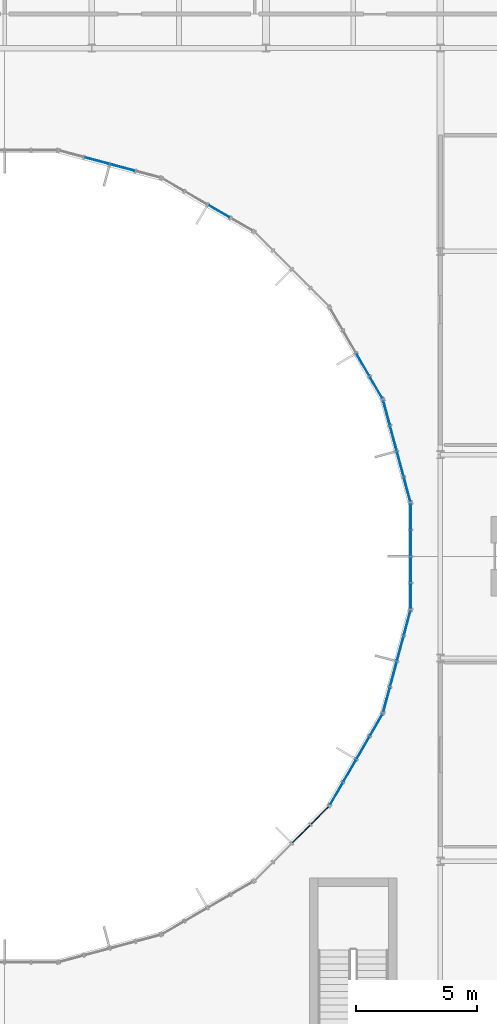
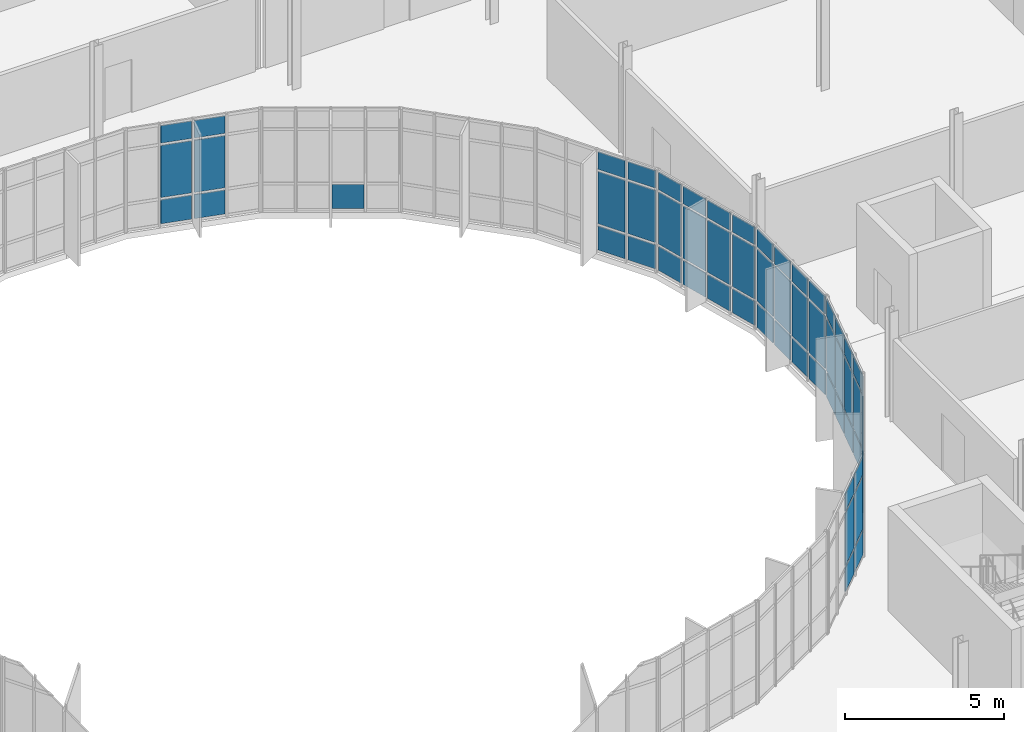
# One storey, part 82 of 119: 67 plates, 8 elements without a shape of their own.
"""IFC4 building model written with IfcOpenShell, lengths in metres."""

from ifc_helpers import new_model, si_unit, direction, frame, origin, origin_2d, place, context, subcontext, project, spatial, rectangle, extrude, material, layer, layer_set, type_object, element, aggregate, save


model = new_model("IFC4")

# Units and contexts
model_context = context("Model", 3, precision=1e-05, world=origin(), true_north=direction((0.0, 1.0)))
body_context = subcontext(model_context, "Body", "Model", "MODEL_VIEW")
ifc_project = project(units=[si_unit("LENGTHUNIT", "METRE"), si_unit("AREAUNIT", "SQUARE_METRE"), si_unit("VOLUMEUNIT", "CUBIC_METRE"), si_unit("PLANEANGLEUNIT", "RADIAN"), si_unit("MASSUNIT", "GRAM", prefix="KILO")], contexts=[model_context])

# Site, building, storey
site_placement = place(None, origin())
site = spatial("IfcSite", under=ifc_project, at=site_placement, CompositionType="ELEMENT")
building_placement = place(site_placement, origin())
building = spatial("IfcBuilding", under=site, at=building_placement, Name="Qelthora Terrace Specialist Clinic", CompositionType="ELEMENT")
storey_placement = place(building_placement, frame((0.0, 0.0, 4.800048828125)))
storey = spatial("IfcBuildingStorey", under=building, at=storey_placement, Name="L01", CompositionType="ELEMENT", Elevation=4.800048828125)

# Curtain wall, plates
ifc_material_1 = material(Name="Aluminium anodized bronze", Category="aluminium")
curtain_wall_type = type_object("IfcCurtainWallType", Name="CW-CRTE-UPP", PredefinedType="NOTDEFINED", material=ifc_material_1)
curtain_wall_1_placement = place(storey_placement, origin())
curtain_wall_1 = element("IfcCurtainWall", 1, at=curtain_wall_1_placement, inside=storey, type_object=curtain_wall_type, Name="Curtain wall CW-CE-L01-01", PredefinedType="NOTDEFINED")
ifc_material_2 = material(Name="Low-E triple-silver insulating glass", Category="glass")
ifc_layer = layer(ifc_material_2, 0.035888671875)
ifc_layer_set = layer_set([ifc_layer], Name="Low-E triple-silver insulating glass")
plate_type = type_object("IfcPlateType", Name="CWP-IGU-36", PredefinedType="CURTAIN_PANEL", material=ifc_layer_set)
plate_1_placement = place(storey_placement, frame((142.63037109375, 65.75341796875, 0.0849609375), z_axis=(0.0, 0.0, 1.0), x_axis=(-0.258819045103, 0.965925826289, 0.0)))
plate_1 = element("IfcPlate", 2, at=plate_1_placement, type_object=plate_type, Name="CW-CE-L01-01 glazed panel 1", PredefinedType="CURTAIN_PANEL", context=body_context, shape_type="SweptSolid", body=[
    extrude(rectangle(XDim=0.996337890625, YDim=0.035888671875, at=origin_2d()), origin(), (0.0, 0.0, 1.0), 0.919921875),
])
plate_2_placement = place(storey_placement, frame((142.63037109375, 65.75341796875, 1.094970703125), z_axis=(0.0, 0.0, 1.0), x_axis=(-0.258819045103, 0.965925826289, 0.0)))
plate_2 = element("IfcPlate", 3, at=plate_2_placement, type_object=plate_type, Name="CW-CE-L01-01 glazed panel 2", PredefinedType="CURTAIN_PANEL", context=body_context, shape_type="SweptSolid", body=[
    extrude(rectangle(XDim=0.996337890625, YDim=0.035888671875, at=origin_2d()), origin(), (0.0, 0.0, 1.0), 2.0048828125),
])
plate_3_placement = place(storey_placement, frame((142.63037109375, 65.75341796875, 3.18994140625), z_axis=(0.0, 0.0, 1.0), x_axis=(-0.258819045103, 0.965925826289, 0.0)))
plate_3 = element("IfcPlate", 4, at=plate_3_placement, type_object=plate_type, Name="CW-CE-L01-01 glazed panel 3", PredefinedType="CURTAIN_PANEL", context=body_context, shape_type="SweptSolid", body=[
    extrude(rectangle(XDim=0.996337890625, YDim=0.035888671875, at=origin_2d()), origin(), (0.0, 0.0, 1.0), 0.669921875),
])
plate_4_placement = place(storey_placement, frame((142.346435546875, 66.8125, 0.0849609375), z_axis=(0.0, 0.0, 1.0), x_axis=(-0.258819045103, 0.965925826289, 0.0)))
plate_4 = element("IfcPlate", 5, at=plate_4_placement, type_object=plate_type, Name="CW-CE-L01-01 glazed panel 4", PredefinedType="CURTAIN_PANEL", context=body_context, shape_type="SweptSolid", body=[
    extrude(rectangle(XDim=0.996337890625, YDim=0.035888671875, at=origin_2d()), origin(), (0.0, 0.0, 1.0), 0.919921875),
])
plate_5_placement = place(storey_placement, frame((142.346435546875, 66.8125, 1.094970703125), z_axis=(0.0, 0.0, 1.0), x_axis=(-0.258819045103, 0.965925826289, 0.0)))
plate_5 = element("IfcPlate", 6, at=plate_5_placement, type_object=plate_type, Name="CW-CE-L01-01 glazed panel 5", PredefinedType="CURTAIN_PANEL", context=body_context, shape_type="SweptSolid", body=[
    extrude(rectangle(XDim=0.996337890625, YDim=0.035888671875, at=origin_2d()), origin(), (0.0, 0.0, 1.0), 2.0048828125),
])
plate_6_placement = place(storey_placement, frame((142.346435546875, 66.8125, 3.18994140625), z_axis=(0.0, 0.0, 1.0), x_axis=(-0.258819045103, 0.965925826289, 0.0)))
plate_6 = element("IfcPlate", 7, at=plate_6_placement, type_object=plate_type, Name="CW-CE-L01-01 glazed panel 6", PredefinedType="CURTAIN_PANEL", context=body_context, shape_type="SweptSolid", body=[
    extrude(rectangle(XDim=0.996337890625, YDim=0.035888671875, at=origin_2d()), origin(), (0.0, 0.0, 1.0), 0.669921875),
])
plate_7_placement = place(storey_placement, frame((142.062744140625, 67.87158203125, 0.0849609375), z_axis=(0.0, 0.0, 1.0), x_axis=(-0.258819045103, 0.965925826289, 0.0)))
plate_7 = element("IfcPlate", 8, at=plate_7_placement, type_object=plate_type, Name="CW-CE-L01-01 glazed panel 7", PredefinedType="CURTAIN_PANEL", context=body_context, shape_type="SweptSolid", body=[
    extrude(rectangle(XDim=0.996337890625, YDim=0.035888671875, at=origin_2d()), origin(), (0.0, 0.0, 1.0), 0.919921875),
])
plate_8_placement = place(storey_placement, frame((142.062744140625, 67.87158203125, 1.094970703125), z_axis=(0.0, 0.0, 1.0), x_axis=(-0.258819045103, 0.965925826289, 0.0)))
plate_8 = element("IfcPlate", 9, at=plate_8_placement, type_object=plate_type, Name="CW-CE-L01-01 glazed panel 8", PredefinedType="CURTAIN_PANEL", context=body_context, shape_type="SweptSolid", body=[
    extrude(rectangle(XDim=0.996337890625, YDim=0.035888671875, at=origin_2d()), origin(), (0.0, 0.0, 1.0), 2.0048828125),
])
plate_9_placement = place(storey_placement, frame((142.062744140625, 67.87158203125, 3.18994140625), z_axis=(0.0, 0.0, 1.0), x_axis=(-0.258819045103, 0.965925826289, 0.0)))
plate_9 = element("IfcPlate", 10, at=plate_9_placement, type_object=plate_type, Name="CW-CE-L01-01 glazed panel 9", PredefinedType="CURTAIN_PANEL", context=body_context, shape_type="SweptSolid", body=[
    extrude(rectangle(XDim=0.996337890625, YDim=0.035888671875, at=origin_2d()), origin(), (0.0, 0.0, 1.0), 0.669921875),
])
plate_10_placement = place(storey_placement, frame((141.779052734375, 68.9306640625, 0.0849609375), z_axis=(0.0, 0.0, 1.0), x_axis=(-0.258819045103, 0.965925826289, 0.0)))
plate_10 = element("IfcPlate", 11, at=plate_10_placement, type_object=plate_type, Name="CW-CE-L01-01 glazed panel 10", PredefinedType="CURTAIN_PANEL", context=body_context, shape_type="SweptSolid", body=[
    extrude(rectangle(XDim=0.996337890625, YDim=0.035888671875, at=origin_2d()), origin(), (0.0, 0.0, 1.0), 0.919921875),
])
plate_11_placement = place(storey_placement, frame((141.779052734375, 68.9306640625, 1.094970703125), z_axis=(0.0, 0.0, 1.0), x_axis=(-0.258819045103, 0.965925826289, 0.0)))
plate_11 = element("IfcPlate", 12, at=plate_11_placement, type_object=plate_type, Name="CW-CE-L01-01 glazed panel 11", PredefinedType="CURTAIN_PANEL", context=body_context, shape_type="SweptSolid", body=[
    extrude(rectangle(XDim=0.996337890625, YDim=0.035888671875, at=origin_2d()), origin(), (0.0, 0.0, 1.0), 2.0048828125),
])
plate_12_placement = place(storey_placement, frame((141.779052734375, 68.9306640625, 3.18994140625), z_axis=(0.0, 0.0, 1.0), x_axis=(-0.258819045103, 0.965925826289, 0.0)))
plate_12 = element("IfcPlate", 13, at=plate_12_placement, type_object=plate_type, Name="CW-CE-L01-01 glazed panel 12", PredefinedType="CURTAIN_PANEL", context=body_context, shape_type="SweptSolid", body=[
    extrude(rectangle(XDim=0.996337890625, YDim=0.035888671875, at=origin_2d()), origin(), (0.0, 0.0, 1.0), 0.669921875),
])
aggregate(curtain_wall_1, [plate_1, plate_2, plate_3, plate_4, plate_5, plate_6, plate_7, plate_8, plate_9, plate_10, plate_11, plate_12])

curtain_wall_2_placement = place(storey_placement, origin())
curtain_wall_2 = element("IfcCurtainWall", 14, at=curtain_wall_2_placement, inside=storey, type_object=curtain_wall_type, Name="Curtain wall CW-CE-L01-02", PredefinedType="NOTDEFINED")
plate_13_placement = place(storey_placement, frame((141.35107421875, 69.9638671875, 0.0849609375), z_axis=(0.0, 0.0, 1.0), x_axis=(-0.5, 0.866025403784, 0.0)))
plate_13 = element("IfcPlate", 15, at=plate_13_placement, type_object=plate_type, Name="CW-CE-L01-02 glazed panel 1", PredefinedType="CURTAIN_PANEL", context=body_context, shape_type="SweptSolid", body=[
    extrude(rectangle(XDim=0.996337890625, YDim=0.035888671875, at=origin_2d()), origin(), (0.0, 0.0, 1.0), 0.919921875),
])
plate_14_placement = place(storey_placement, frame((141.35107421875, 69.9638671875, 1.094970703125), z_axis=(0.0, 0.0, 1.0), x_axis=(-0.5, 0.866025403784, 0.0)))
plate_14 = element("IfcPlate", 16, at=plate_14_placement, type_object=plate_type, Name="CW-CE-L01-02 glazed panel 2", PredefinedType="CURTAIN_PANEL", context=body_context, shape_type="SweptSolid", body=[
    extrude(rectangle(XDim=0.996337890625, YDim=0.035888671875, at=origin_2d()), origin(), (0.0, 0.0, 1.0), 2.0048828125),
])
plate_15_placement = place(storey_placement, frame((141.35107421875, 69.9638671875, 3.18994140625), z_axis=(0.0, 0.0, 1.0), x_axis=(-0.5, 0.866025403784, 0.0)))
plate_15 = element("IfcPlate", 17, at=plate_15_placement, type_object=plate_type, Name="CW-CE-L01-02 glazed panel 3", PredefinedType="CURTAIN_PANEL", context=body_context, shape_type="SweptSolid", body=[
    extrude(rectangle(XDim=0.996337890625, YDim=0.035888671875, at=origin_2d()), origin(), (0.0, 0.0, 1.0), 0.669921875),
])
plate_16_placement = place(storey_placement, frame((140.802734375, 70.913330078125, 0.0849609375), z_axis=(0.0, 0.0, 1.0), x_axis=(-0.5, 0.866025403784, 0.0)))
plate_16 = element("IfcPlate", 18, at=plate_16_placement, type_object=plate_type, Name="CW-CE-L01-02 glazed panel 4", PredefinedType="CURTAIN_PANEL", context=body_context, shape_type="SweptSolid", body=[
    extrude(rectangle(XDim=0.996337890625, YDim=0.035888671875, at=origin_2d()), origin(), (0.0, 0.0, 1.0), 0.919921875),
])
plate_17_placement = place(storey_placement, frame((140.802734375, 70.913330078125, 1.094970703125), z_axis=(0.0, 0.0, 1.0), x_axis=(-0.5, 0.866025403784, 0.0)))
plate_17 = element("IfcPlate", 19, at=plate_17_placement, type_object=plate_type, Name="CW-CE-L01-02 glazed panel 5", PredefinedType="CURTAIN_PANEL", context=body_context, shape_type="SweptSolid", body=[
    extrude(rectangle(XDim=0.996337890625, YDim=0.035888671875, at=origin_2d()), origin(), (0.0, 0.0, 1.0), 2.0048828125),
])
plate_18_placement = place(storey_placement, frame((140.802734375, 70.913330078125, 3.18994140625), z_axis=(0.0, 0.0, 1.0), x_axis=(-0.5, 0.866025403784, 0.0)))
plate_18 = element("IfcPlate", 20, at=plate_18_placement, type_object=plate_type, Name="CW-CE-L01-02 glazed panel 6", PredefinedType="CURTAIN_PANEL", context=body_context, shape_type="SweptSolid", body=[
    extrude(rectangle(XDim=0.996337890625, YDim=0.035888671875, at=origin_2d()), origin(), (0.0, 0.0, 1.0), 0.669921875),
])
aggregate(curtain_wall_2, [plate_13, plate_14, plate_15, plate_16, plate_17, plate_18])

# Curtain wall, plate
curtain_wall_3_placement = place(storey_placement, origin())
curtain_wall_3 = element("IfcCurtainWall", 21, at=curtain_wall_3_placement, inside=storey, type_object=curtain_wall_type, Name="Curtain wall CW-CE-L01-04", PredefinedType="NOTDEFINED")
plate_19_placement = place(storey_placement, frame((134.86279296875, 77.254638671875, 0.0849609375), z_axis=(0.0, 0.0, 1.0), x_axis=(-0.866025403784, 0.5, 0.0)))
plate_19 = element("IfcPlate", 22, at=plate_19_placement, type_object=plate_type, Name="CW-CE-L01-04 glazed panel 4", PredefinedType="CURTAIN_PANEL", context=body_context, shape_type="SweptSolid", body=[
    extrude(rectangle(XDim=0.996337890625, YDim=0.035888671875, at=origin_2d()), origin(), (0.0, 0.0, 1.0), 0.919921875),
])
aggregate(curtain_wall_3, [plate_19])

# Curtain wall, plates
curtain_wall_4_placement = place(storey_placement, origin())
curtain_wall_4 = element("IfcCurtainWall", 23, at=curtain_wall_4_placement, inside=storey, type_object=curtain_wall_type, Name="Curtain wall CW-CE-L01-05", PredefinedType="NOTDEFINED")
plate_20_placement = place(storey_placement, frame((130.87158203125, 79.062744140625, 0.0849609375), z_axis=(0.0, 0.0, 1.0), x_axis=(-0.965925826289, 0.258819045103, 0.0)))
plate_20 = element("IfcPlate", 24, at=plate_20_placement, type_object=plate_type, Name="CW-CE-L01-05 glazed panel 4", PredefinedType="CURTAIN_PANEL", context=body_context, shape_type="SweptSolid", body=[
    extrude(rectangle(XDim=0.996337890625, YDim=0.035888671875, at=origin_2d()), origin(), (0.0, 0.0, 1.0), 0.919921875),
])
plate_21_placement = place(storey_placement, frame((130.87158203125, 79.062744140625, 1.094970703125), z_axis=(0.0, 0.0, 1.0), x_axis=(-0.965925826289, 0.258819045103, 0.0)))
plate_21 = element("IfcPlate", 25, at=plate_21_placement, type_object=plate_type, Name="CW-CE-L01-05 glazed panel 5", PredefinedType="CURTAIN_PANEL", context=body_context, shape_type="SweptSolid", body=[
    extrude(rectangle(XDim=0.996337890625, YDim=0.035888671875, at=origin_2d()), origin(), (0.0, 0.0, 1.0), 2.0048828125),
])
plate_22_placement = place(storey_placement, frame((130.87158203125, 79.062744140625, 3.18994140625), z_axis=(0.0, 0.0, 1.0), x_axis=(-0.965925826289, 0.258819045103, 0.0)))
plate_22 = element("IfcPlate", 26, at=plate_22_placement, type_object=plate_type, Name="CW-CE-L01-05 glazed panel 6", PredefinedType="CURTAIN_PANEL", context=body_context, shape_type="SweptSolid", body=[
    extrude(rectangle(XDim=0.996337890625, YDim=0.035888671875, at=origin_2d()), origin(), (0.0, 0.0, 1.0), 0.669921875),
])
plate_23_placement = place(storey_placement, frame((129.8125, 79.346435546875, 0.0849609375), z_axis=(0.0, 0.0, 1.0), x_axis=(-0.965925826289, 0.258819045103, 0.0)))
plate_23 = element("IfcPlate", 27, at=plate_23_placement, type_object=plate_type, Name="CW-CE-L01-05 glazed panel 7", PredefinedType="CURTAIN_PANEL", context=body_context, shape_type="SweptSolid", body=[
    extrude(rectangle(XDim=0.996337890625, YDim=0.035888671875, at=origin_2d()), origin(), (0.0, 0.0, 1.0), 0.919921875),
])
plate_24_placement = place(storey_placement, frame((129.8125, 79.346435546875, 1.094970703125), z_axis=(0.0, 0.0, 1.0), x_axis=(-0.965925826289, 0.258819045103, 0.0)))
plate_24 = element("IfcPlate", 28, at=plate_24_placement, type_object=plate_type, Name="CW-CE-L01-05 glazed panel 8", PredefinedType="CURTAIN_PANEL", context=body_context, shape_type="SweptSolid", body=[
    extrude(rectangle(XDim=0.996337890625, YDim=0.035888671875, at=origin_2d()), origin(), (0.0, 0.0, 1.0), 2.0048828125),
])
plate_25_placement = place(storey_placement, frame((129.8125, 79.346435546875, 3.18994140625), z_axis=(0.0, 0.0, 1.0), x_axis=(-0.965925826289, 0.258819045103, 0.0)))
plate_25 = element("IfcPlate", 29, at=plate_25_placement, type_object=plate_type, Name="CW-CE-L01-05 glazed panel 9", PredefinedType="CURTAIN_PANEL", context=body_context, shape_type="SweptSolid", body=[
    extrude(rectangle(XDim=0.996337890625, YDim=0.035888671875, at=origin_2d()), origin(), (0.0, 0.0, 1.0), 0.669921875),
])
aggregate(curtain_wall_4, [plate_20, plate_21, plate_22, plate_23, plate_24, plate_25])

curtain_wall_5_placement = place(storey_placement, origin())
curtain_wall_5 = element("IfcCurtainWall", 30, at=curtain_wall_5_placement, inside=storey, type_object=curtain_wall_type, Name="Curtain wall CW-CE-L01-21", PredefinedType="NOTDEFINED")
plate_26_placement = place(storey_placement, frame((138.250244140625, 51.525146484375, 0.0849609375), z_axis=(0.0, 0.0, 1.0), x_axis=(0.707106781187, 0.707106781187, 0.0)))
plate_26 = element("IfcPlate", 31, at=plate_26_placement, type_object=plate_type, Name="CW-CE-L01-21 glazed panel 7", PredefinedType="CURTAIN_PANEL", context=body_context, shape_type="SweptSolid", body=[
    extrude(rectangle(XDim=0.996337890625, YDim=0.035888671875, at=origin_2d()), origin(), (0.0, 0.0, 1.0), 0.919921875),
])
plate_27_placement = place(storey_placement, frame((138.250244140625, 51.525146484375, 1.094970703125), z_axis=(0.0, 0.0, 1.0), x_axis=(0.707106781187, 0.707106781187, 0.0)))
plate_27 = element("IfcPlate", 32, at=plate_27_placement, type_object=plate_type, Name="CW-CE-L01-21 glazed panel 8", PredefinedType="CURTAIN_PANEL", context=body_context, shape_type="SweptSolid", body=[
    extrude(rectangle(XDim=0.996337890625, YDim=0.035888671875, at=origin_2d()), origin(), (0.0, 0.0, 1.0), 2.0048828125),
])
plate_28_placement = place(storey_placement, frame((138.250244140625, 51.525146484375, 3.18994140625), z_axis=(0.0, 0.0, 1.0), x_axis=(0.707106781187, 0.707106781187, 0.0)))
plate_28 = element("IfcPlate", 33, at=plate_28_placement, type_object=plate_type, Name="CW-CE-L01-21 glazed panel 9", PredefinedType="CURTAIN_PANEL", context=body_context, shape_type="SweptSolid", body=[
    extrude(rectangle(XDim=0.996337890625, YDim=0.035888671875, at=origin_2d()), origin(), (0.0, 0.0, 1.0), 0.669921875),
])
plate_29_placement = place(storey_placement, frame((139.025634765625, 52.30029296875, 0.0849609375), z_axis=(0.0, 0.0, 1.0), x_axis=(0.707106781187, 0.707106781187, 0.0)))
plate_29 = element("IfcPlate", 34, at=plate_29_placement, type_object=plate_type, Name="CW-CE-L01-21 glazed panel 10", PredefinedType="CURTAIN_PANEL", context=body_context, shape_type="SweptSolid", body=[
    extrude(rectangle(XDim=0.996337890625, YDim=0.035888671875, at=origin_2d()), origin(), (0.0, 0.0, 1.0), 0.919921875),
])
plate_30_placement = place(storey_placement, frame((139.025634765625, 52.30029296875, 1.094970703125), z_axis=(0.0, 0.0, 1.0), x_axis=(0.707106781187, 0.707106781187, 0.0)))
plate_30 = element("IfcPlate", 35, at=plate_30_placement, type_object=plate_type, Name="CW-CE-L01-21 glazed panel 11", PredefinedType="CURTAIN_PANEL", context=body_context, shape_type="SweptSolid", body=[
    extrude(rectangle(XDim=0.996337890625, YDim=0.035888671875, at=origin_2d()), origin(), (0.0, 0.0, 1.0), 2.0048828125),
])
plate_31_placement = place(storey_placement, frame((139.025634765625, 52.30029296875, 3.18994140625), z_axis=(0.0, 0.0, 1.0), x_axis=(0.707106781187, 0.707106781187, 0.0)))
plate_31 = element("IfcPlate", 36, at=plate_31_placement, type_object=plate_type, Name="CW-CE-L01-21 glazed panel 12", PredefinedType="CURTAIN_PANEL", context=body_context, shape_type="SweptSolid", body=[
    extrude(rectangle(XDim=0.996337890625, YDim=0.035888671875, at=origin_2d()), origin(), (0.0, 0.0, 1.0), 0.669921875),
])
aggregate(curtain_wall_5, [plate_26, plate_27, plate_28, plate_29, plate_30, plate_31])

curtain_wall_6_placement = place(storey_placement, origin())
curtain_wall_6 = element("IfcCurtainWall", 37, at=curtain_wall_6_placement, inside=storey, type_object=curtain_wall_type, Name="Curtain wall CW-CE-L01-22", PredefinedType="NOTDEFINED")
plate_32_placement = place(storey_placement, frame((139.706298828125, 53.1875, 0.0849609375), z_axis=(0.0, 0.0, 1.0), x_axis=(0.5, 0.866025403784, 0.0)))
plate_32 = element("IfcPlate", 38, at=plate_32_placement, type_object=plate_type, Name="CW-CE-L01-22 glazed panel 1", PredefinedType="CURTAIN_PANEL", context=body_context, shape_type="SweptSolid", body=[
    extrude(rectangle(XDim=0.996337890625, YDim=0.035888671875, at=origin_2d()), origin(), (0.0, 0.0, 1.0), 0.919921875),
])
plate_33_placement = place(storey_placement, frame((139.706298828125, 53.1875, 1.094970703125), z_axis=(0.0, 0.0, 1.0), x_axis=(0.5, 0.866025403784, 0.0)))
plate_33 = element("IfcPlate", 39, at=plate_33_placement, type_object=plate_type, Name="CW-CE-L01-22 glazed panel 2", PredefinedType="CURTAIN_PANEL", context=body_context, shape_type="SweptSolid", body=[
    extrude(rectangle(XDim=0.996337890625, YDim=0.035888671875, at=origin_2d()), origin(), (0.0, 0.0, 1.0), 2.0048828125),
])
plate_34_placement = place(storey_placement, frame((139.706298828125, 53.1875, 3.18994140625), z_axis=(0.0, 0.0, 1.0), x_axis=(0.5, 0.866025403784, 0.0)))
plate_34 = element("IfcPlate", 40, at=plate_34_placement, type_object=plate_type, Name="CW-CE-L01-22 glazed panel 3", PredefinedType="CURTAIN_PANEL", context=body_context, shape_type="SweptSolid", body=[
    extrude(rectangle(XDim=0.996337890625, YDim=0.035888671875, at=origin_2d()), origin(), (0.0, 0.0, 1.0), 0.669921875),
])
plate_35_placement = place(storey_placement, frame((140.254638671875, 54.13720703125, 0.0849609375), z_axis=(0.0, 0.0, 1.0), x_axis=(0.5, 0.866025403784, 0.0)))
plate_35 = element("IfcPlate", 41, at=plate_35_placement, type_object=plate_type, Name="CW-CE-L01-22 glazed panel 4", PredefinedType="CURTAIN_PANEL", context=body_context, shape_type="SweptSolid", body=[
    extrude(rectangle(XDim=0.996337890625, YDim=0.035888671875, at=origin_2d()), origin(), (0.0, 0.0, 1.0), 0.919921875),
])
plate_36_placement = place(storey_placement, frame((140.254638671875, 54.13720703125, 1.094970703125), z_axis=(0.0, 0.0, 1.0), x_axis=(0.5, 0.866025403784, 0.0)))
plate_36 = element("IfcPlate", 42, at=plate_36_placement, type_object=plate_type, Name="CW-CE-L01-22 glazed panel 5", PredefinedType="CURTAIN_PANEL", context=body_context, shape_type="SweptSolid", body=[
    extrude(rectangle(XDim=0.996337890625, YDim=0.035888671875, at=origin_2d()), origin(), (0.0, 0.0, 1.0), 2.0048828125),
])
plate_37_placement = place(storey_placement, frame((140.254638671875, 54.13720703125, 3.18994140625), z_axis=(0.0, 0.0, 1.0), x_axis=(0.5, 0.866025403784, 0.0)))
plate_37 = element("IfcPlate", 43, at=plate_37_placement, type_object=plate_type, Name="CW-CE-L01-22 glazed panel 6", PredefinedType="CURTAIN_PANEL", context=body_context, shape_type="SweptSolid", body=[
    extrude(rectangle(XDim=0.996337890625, YDim=0.035888671875, at=origin_2d()), origin(), (0.0, 0.0, 1.0), 0.669921875),
])
plate_38_placement = place(storey_placement, frame((140.802734375, 55.086669921875, 0.0849609375), z_axis=(0.0, 0.0, 1.0), x_axis=(0.5, 0.866025403784, 0.0)))
plate_38 = element("IfcPlate", 44, at=plate_38_placement, type_object=plate_type, Name="CW-CE-L01-22 glazed panel 7", PredefinedType="CURTAIN_PANEL", context=body_context, shape_type="SweptSolid", body=[
    extrude(rectangle(XDim=0.996337890625, YDim=0.035888671875, at=origin_2d()), origin(), (0.0, 0.0, 1.0), 0.919921875),
])
plate_39_placement = place(storey_placement, frame((140.802734375, 55.086669921875, 1.094970703125), z_axis=(0.0, 0.0, 1.0), x_axis=(0.5, 0.866025403784, 0.0)))
plate_39 = element("IfcPlate", 45, at=plate_39_placement, type_object=plate_type, Name="CW-CE-L01-22 glazed panel 8", PredefinedType="CURTAIN_PANEL", context=body_context, shape_type="SweptSolid", body=[
    extrude(rectangle(XDim=0.996337890625, YDim=0.035888671875, at=origin_2d()), origin(), (0.0, 0.0, 1.0), 2.0048828125),
])
plate_40_placement = place(storey_placement, frame((140.802734375, 55.086669921875, 3.18994140625), z_axis=(0.0, 0.0, 1.0), x_axis=(0.5, 0.866025403784, 0.0)))
plate_40 = element("IfcPlate", 46, at=plate_40_placement, type_object=plate_type, Name="CW-CE-L01-22 glazed panel 9", PredefinedType="CURTAIN_PANEL", context=body_context, shape_type="SweptSolid", body=[
    extrude(rectangle(XDim=0.996337890625, YDim=0.035888671875, at=origin_2d()), origin(), (0.0, 0.0, 1.0), 0.669921875),
])
plate_41_placement = place(storey_placement, frame((141.35107421875, 56.0361328125, 0.0849609375), z_axis=(0.0, 0.0, 1.0), x_axis=(0.5, 0.866025403784, 0.0)))
plate_41 = element("IfcPlate", 47, at=plate_41_placement, type_object=plate_type, Name="CW-CE-L01-22 glazed panel 10", PredefinedType="CURTAIN_PANEL", context=body_context, shape_type="SweptSolid", body=[
    extrude(rectangle(XDim=0.996337890625, YDim=0.035888671875, at=origin_2d()), origin(), (0.0, 0.0, 1.0), 0.919921875),
])
plate_42_placement = place(storey_placement, frame((141.35107421875, 56.0361328125, 1.094970703125), z_axis=(0.0, 0.0, 1.0), x_axis=(0.5, 0.866025403784, 0.0)))
plate_42 = element("IfcPlate", 48, at=plate_42_placement, type_object=plate_type, Name="CW-CE-L01-22 glazed panel 11", PredefinedType="CURTAIN_PANEL", context=body_context, shape_type="SweptSolid", body=[
    extrude(rectangle(XDim=0.996337890625, YDim=0.035888671875, at=origin_2d()), origin(), (0.0, 0.0, 1.0), 2.0048828125),
])
plate_43_placement = place(storey_placement, frame((141.35107421875, 56.0361328125, 3.18994140625), z_axis=(0.0, 0.0, 1.0), x_axis=(0.5, 0.866025403784, 0.0)))
plate_43 = element("IfcPlate", 49, at=plate_43_placement, type_object=plate_type, Name="CW-CE-L01-22 glazed panel 12", PredefinedType="CURTAIN_PANEL", context=body_context, shape_type="SweptSolid", body=[
    extrude(rectangle(XDim=0.996337890625, YDim=0.035888671875, at=origin_2d()), origin(), (0.0, 0.0, 1.0), 0.669921875),
])
aggregate(curtain_wall_6, [plate_32, plate_33, plate_34, plate_35, plate_36, plate_37, plate_38, plate_39, plate_40, plate_41, plate_42, plate_43])

curtain_wall_7_placement = place(storey_placement, origin())
curtain_wall_7 = element("IfcCurtainWall", 50, at=curtain_wall_7_placement, inside=storey, type_object=curtain_wall_type, Name="Curtain wall CW-CE-L01-23", PredefinedType="NOTDEFINED")
plate_44_placement = place(storey_placement, frame((141.779052734375, 57.0693359375, 0.0849609375), z_axis=(0.0, 0.0, 1.0), x_axis=(0.258819045103, 0.965925826289, 0.0)))
plate_44 = element("IfcPlate", 51, at=plate_44_placement, type_object=plate_type, Name="CW-CE-L01-23 glazed panel 1", PredefinedType="CURTAIN_PANEL", context=body_context, shape_type="SweptSolid", body=[
    extrude(rectangle(XDim=0.996337890625, YDim=0.035888671875, at=origin_2d()), origin(), (0.0, 0.0, 1.0), 0.919921875),
])
plate_45_placement = place(storey_placement, frame((141.779052734375, 57.0693359375, 1.094970703125), z_axis=(0.0, 0.0, 1.0), x_axis=(0.258819045103, 0.965925826289, 0.0)))
plate_45 = element("IfcPlate", 52, at=plate_45_placement, type_object=plate_type, Name="CW-CE-L01-23 glazed panel 2", PredefinedType="CURTAIN_PANEL", context=body_context, shape_type="SweptSolid", body=[
    extrude(rectangle(XDim=0.996337890625, YDim=0.035888671875, at=origin_2d()), origin(), (0.0, 0.0, 1.0), 2.0048828125),
])
plate_46_placement = place(storey_placement, frame((141.779052734375, 57.0693359375, 3.18994140625), z_axis=(0.0, 0.0, 1.0), x_axis=(0.258819045103, 0.965925826289, 0.0)))
plate_46 = element("IfcPlate", 53, at=plate_46_placement, type_object=plate_type, Name="CW-CE-L01-23 glazed panel 3", PredefinedType="CURTAIN_PANEL", context=body_context, shape_type="SweptSolid", body=[
    extrude(rectangle(XDim=0.996337890625, YDim=0.035888671875, at=origin_2d()), origin(), (0.0, 0.0, 1.0), 0.669921875),
])
plate_47_placement = place(storey_placement, frame((142.062744140625, 58.12841796875, 0.0849609375), z_axis=(0.0, 0.0, 1.0), x_axis=(0.258819045103, 0.965925826289, 0.0)))
plate_47 = element("IfcPlate", 54, at=plate_47_placement, type_object=plate_type, Name="CW-CE-L01-23 glazed panel 4", PredefinedType="CURTAIN_PANEL", context=body_context, shape_type="SweptSolid", body=[
    extrude(rectangle(XDim=0.996337890625, YDim=0.035888671875, at=origin_2d()), origin(), (0.0, 0.0, 1.0), 0.919921875),
])
plate_48_placement = place(storey_placement, frame((142.062744140625, 58.12841796875, 1.094970703125), z_axis=(0.0, 0.0, 1.0), x_axis=(0.258819045103, 0.965925826289, 0.0)))
plate_48 = element("IfcPlate", 55, at=plate_48_placement, type_object=plate_type, Name="CW-CE-L01-23 glazed panel 5", PredefinedType="CURTAIN_PANEL", context=body_context, shape_type="SweptSolid", body=[
    extrude(rectangle(XDim=0.996337890625, YDim=0.035888671875, at=origin_2d()), origin(), (0.0, 0.0, 1.0), 2.0048828125),
])
plate_49_placement = place(storey_placement, frame((142.062744140625, 58.12841796875, 3.18994140625), z_axis=(0.0, 0.0, 1.0), x_axis=(0.258819045103, 0.965925826289, 0.0)))
plate_49 = element("IfcPlate", 56, at=plate_49_placement, type_object=plate_type, Name="CW-CE-L01-23 glazed panel 6", PredefinedType="CURTAIN_PANEL", context=body_context, shape_type="SweptSolid", body=[
    extrude(rectangle(XDim=0.996337890625, YDim=0.035888671875, at=origin_2d()), origin(), (0.0, 0.0, 1.0), 0.669921875),
])
plate_50_placement = place(storey_placement, frame((142.346435546875, 59.1875, 0.0849609375), z_axis=(0.0, 0.0, 1.0), x_axis=(0.258819045103, 0.965925826289, 0.0)))
plate_50 = element("IfcPlate", 57, at=plate_50_placement, type_object=plate_type, Name="CW-CE-L01-23 glazed panel 7", PredefinedType="CURTAIN_PANEL", context=body_context, shape_type="SweptSolid", body=[
    extrude(rectangle(XDim=0.996337890625, YDim=0.035888671875, at=origin_2d()), origin(), (0.0, 0.0, 1.0), 0.919921875),
])
plate_51_placement = place(storey_placement, frame((142.346435546875, 59.1875, 1.094970703125), z_axis=(0.0, 0.0, 1.0), x_axis=(0.258819045103, 0.965925826289, 0.0)))
plate_51 = element("IfcPlate", 58, at=plate_51_placement, type_object=plate_type, Name="CW-CE-L01-23 glazed panel 8", PredefinedType="CURTAIN_PANEL", context=body_context, shape_type="SweptSolid", body=[
    extrude(rectangle(XDim=0.996337890625, YDim=0.035888671875, at=origin_2d()), origin(), (0.0, 0.0, 1.0), 2.0048828125),
])
plate_52_placement = place(storey_placement, frame((142.346435546875, 59.1875, 3.18994140625), z_axis=(0.0, 0.0, 1.0), x_axis=(0.258819045103, 0.965925826289, 0.0)))
plate_52 = element("IfcPlate", 59, at=plate_52_placement, type_object=plate_type, Name="CW-CE-L01-23 glazed panel 9", PredefinedType="CURTAIN_PANEL", context=body_context, shape_type="SweptSolid", body=[
    extrude(rectangle(XDim=0.996337890625, YDim=0.035888671875, at=origin_2d()), origin(), (0.0, 0.0, 1.0), 0.669921875),
])
plate_53_placement = place(storey_placement, frame((142.63037109375, 60.24658203125, 0.0849609375), z_axis=(0.0, 0.0, 1.0), x_axis=(0.258819045103, 0.965925826289, 0.0)))
plate_53 = element("IfcPlate", 60, at=plate_53_placement, type_object=plate_type, Name="CW-CE-L01-23 glazed panel 10", PredefinedType="CURTAIN_PANEL", context=body_context, shape_type="SweptSolid", body=[
    extrude(rectangle(XDim=0.996337890625, YDim=0.035888671875, at=origin_2d()), origin(), (0.0, 0.0, 1.0), 0.919921875),
])
plate_54_placement = place(storey_placement, frame((142.63037109375, 60.24658203125, 1.094970703125), z_axis=(0.0, 0.0, 1.0), x_axis=(0.258819045103, 0.965925826289, 0.0)))
plate_54 = element("IfcPlate", 61, at=plate_54_placement, type_object=plate_type, Name="CW-CE-L01-23 glazed panel 11", PredefinedType="CURTAIN_PANEL", context=body_context, shape_type="SweptSolid", body=[
    extrude(rectangle(XDim=0.996337890625, YDim=0.035888671875, at=origin_2d()), origin(), (0.0, 0.0, 1.0), 2.0048828125),
])
plate_55_placement = place(storey_placement, frame((142.63037109375, 60.24658203125, 3.18994140625), z_axis=(0.0, 0.0, 1.0), x_axis=(0.258819045103, 0.965925826289, 0.0)))
plate_55 = element("IfcPlate", 62, at=plate_55_placement, type_object=plate_type, Name="CW-CE-L01-23 glazed panel 12", PredefinedType="CURTAIN_PANEL", context=body_context, shape_type="SweptSolid", body=[
    extrude(rectangle(XDim=0.996337890625, YDim=0.035888671875, at=origin_2d()), origin(), (0.0, 0.0, 1.0), 0.669921875),
])
aggregate(curtain_wall_7, [plate_44, plate_45, plate_46, plate_47, plate_48, plate_49, plate_50, plate_51, plate_52, plate_53, plate_54, plate_55])

curtain_wall_8_placement = place(storey_placement, origin())
curtain_wall_8 = element("IfcCurtainWall", 63, at=curtain_wall_8_placement, inside=storey, type_object=curtain_wall_type, Name="Curtain wall CW-CE-L01-24", PredefinedType="NOTDEFINED")
plate_56_placement = place(storey_placement, frame((142.7763671875, 61.35546875, 0.0849609375), z_axis=(0.0, 0.0, 1.0), x_axis=(0.0, 1.0, 0.0)))
plate_56 = element("IfcPlate", 64, at=plate_56_placement, type_object=plate_type, Name="CW-CE-L01-24 glazed panel 1", PredefinedType="CURTAIN_PANEL", context=body_context, shape_type="SweptSolid", body=[
    extrude(rectangle(XDim=0.996337890625, YDim=0.035888671875, at=origin_2d()), origin(), (0.0, 0.0, 1.0), 0.919921875),
])
plate_57_placement = place(storey_placement, frame((142.7763671875, 61.35546875, 1.094970703125), z_axis=(0.0, 0.0, 1.0), x_axis=(0.0, 1.0, 0.0)))
plate_57 = element("IfcPlate", 65, at=plate_57_placement, type_object=plate_type, Name="CW-CE-L01-24 glazed panel 2", PredefinedType="CURTAIN_PANEL", context=body_context, shape_type="SweptSolid", body=[
    extrude(rectangle(XDim=0.996337890625, YDim=0.035888671875, at=origin_2d()), origin(), (0.0, 0.0, 1.0), 2.0048828125),
])
plate_58_placement = place(storey_placement, frame((142.7763671875, 61.35546875, 3.18994140625), z_axis=(0.0, 0.0, 1.0), x_axis=(0.0, 1.0, 0.0)))
plate_58 = element("IfcPlate", 66, at=plate_58_placement, type_object=plate_type, Name="CW-CE-L01-24 glazed panel 3", PredefinedType="CURTAIN_PANEL", context=body_context, shape_type="SweptSolid", body=[
    extrude(rectangle(XDim=0.996337890625, YDim=0.035888671875, at=origin_2d()), origin(), (0.0, 0.0, 1.0), 0.669921875),
])
plate_59_placement = place(storey_placement, frame((142.7763671875, 62.451904296875, 0.0849609375), z_axis=(0.0, 0.0, 1.0), x_axis=(0.0, 1.0, 0.0)))
plate_59 = element("IfcPlate", 67, at=plate_59_placement, type_object=plate_type, Name="CW-CE-L01-24 glazed panel 4", PredefinedType="CURTAIN_PANEL", context=body_context, shape_type="SweptSolid", body=[
    extrude(rectangle(XDim=0.996337890625, YDim=0.035888671875, at=origin_2d()), origin(), (0.0, 0.0, 1.0), 0.919921875),
])
plate_60_placement = place(storey_placement, frame((142.7763671875, 62.451904296875, 1.094970703125), z_axis=(0.0, 0.0, 1.0), x_axis=(0.0, 1.0, 0.0)))
plate_60 = element("IfcPlate", 68, at=plate_60_placement, type_object=plate_type, Name="CW-CE-L01-24 glazed panel 5", PredefinedType="CURTAIN_PANEL", context=body_context, shape_type="SweptSolid", body=[
    extrude(rectangle(XDim=0.996337890625, YDim=0.035888671875, at=origin_2d()), origin(), (0.0, 0.0, 1.0), 2.0048828125),
])
plate_61_placement = place(storey_placement, frame((142.7763671875, 62.451904296875, 3.18994140625), z_axis=(0.0, 0.0, 1.0), x_axis=(0.0, 1.0, 0.0)))
plate_61 = element("IfcPlate", 69, at=plate_61_placement, type_object=plate_type, Name="CW-CE-L01-24 glazed panel 6", PredefinedType="CURTAIN_PANEL", context=body_context, shape_type="SweptSolid", body=[
    extrude(rectangle(XDim=0.996337890625, YDim=0.035888671875, at=origin_2d()), origin(), (0.0, 0.0, 1.0), 0.669921875),
])
plate_62_placement = place(storey_placement, frame((142.7763671875, 63.548095703125, 0.0849609375), z_axis=(0.0, 0.0, 1.0), x_axis=(0.0, 1.0, 0.0)))
plate_62 = element("IfcPlate", 70, at=plate_62_placement, type_object=plate_type, Name="CW-CE-L01-24 glazed panel 7", PredefinedType="CURTAIN_PANEL", context=body_context, shape_type="SweptSolid", body=[
    extrude(rectangle(XDim=0.996337890625, YDim=0.035888671875, at=origin_2d()), origin(), (0.0, 0.0, 1.0), 0.919921875),
])
plate_63_placement = place(storey_placement, frame((142.7763671875, 63.548095703125, 1.094970703125), z_axis=(0.0, 0.0, 1.0), x_axis=(0.0, 1.0, 0.0)))
plate_63 = element("IfcPlate", 71, at=plate_63_placement, type_object=plate_type, Name="CW-CE-L01-24 glazed panel 8", PredefinedType="CURTAIN_PANEL", context=body_context, shape_type="SweptSolid", body=[
    extrude(rectangle(XDim=0.996337890625, YDim=0.035888671875, at=origin_2d()), origin(), (0.0, 0.0, 1.0), 2.0048828125),
])
plate_64_placement = place(storey_placement, frame((142.7763671875, 63.548095703125, 3.18994140625), z_axis=(0.0, 0.0, 1.0), x_axis=(0.0, 1.0, 0.0)))
plate_64 = element("IfcPlate", 72, at=plate_64_placement, type_object=plate_type, Name="CW-CE-L01-24 glazed panel 9", PredefinedType="CURTAIN_PANEL", context=body_context, shape_type="SweptSolid", body=[
    extrude(rectangle(XDim=0.996337890625, YDim=0.035888671875, at=origin_2d()), origin(), (0.0, 0.0, 1.0), 0.669921875),
])
plate_65_placement = place(storey_placement, frame((142.7763671875, 64.64453125, 0.0849609375), z_axis=(0.0, 0.0, 1.0), x_axis=(0.0, 1.0, 0.0)))
plate_65 = element("IfcPlate", 73, at=plate_65_placement, type_object=plate_type, Name="CW-CE-L01-24 glazed panel 10", PredefinedType="CURTAIN_PANEL", context=body_context, shape_type="SweptSolid", body=[
    extrude(rectangle(XDim=0.996337890625, YDim=0.035888671875, at=origin_2d()), origin(), (0.0, 0.0, 1.0), 0.919921875),
])
plate_66_placement = place(storey_placement, frame((142.7763671875, 64.64453125, 1.094970703125), z_axis=(0.0, 0.0, 1.0), x_axis=(0.0, 1.0, 0.0)))
plate_66 = element("IfcPlate", 74, at=plate_66_placement, type_object=plate_type, Name="CW-CE-L01-24 glazed panel 11", PredefinedType="CURTAIN_PANEL", context=body_context, shape_type="SweptSolid", body=[
    extrude(rectangle(XDim=0.996337890625, YDim=0.035888671875, at=origin_2d()), origin(), (0.0, 0.0, 1.0), 2.0048828125),
])
plate_67_placement = place(storey_placement, frame((142.7763671875, 64.64453125, 3.18994140625), z_axis=(0.0, 0.0, 1.0), x_axis=(0.0, 1.0, 0.0)))
plate_67 = element("IfcPlate", 75, at=plate_67_placement, type_object=plate_type, Name="CW-CE-L01-24 glazed panel 12", PredefinedType="CURTAIN_PANEL", context=body_context, shape_type="SweptSolid", body=[
    extrude(rectangle(XDim=0.996337890625, YDim=0.035888671875, at=origin_2d()), origin(), (0.0, 0.0, 1.0), 0.669921875),
])
aggregate(curtain_wall_8, [plate_56, plate_57, plate_58, plate_59, plate_60, plate_61, plate_62, plate_63, plate_64, plate_65, plate_66, plate_67])

save(model, "model.ifc")
